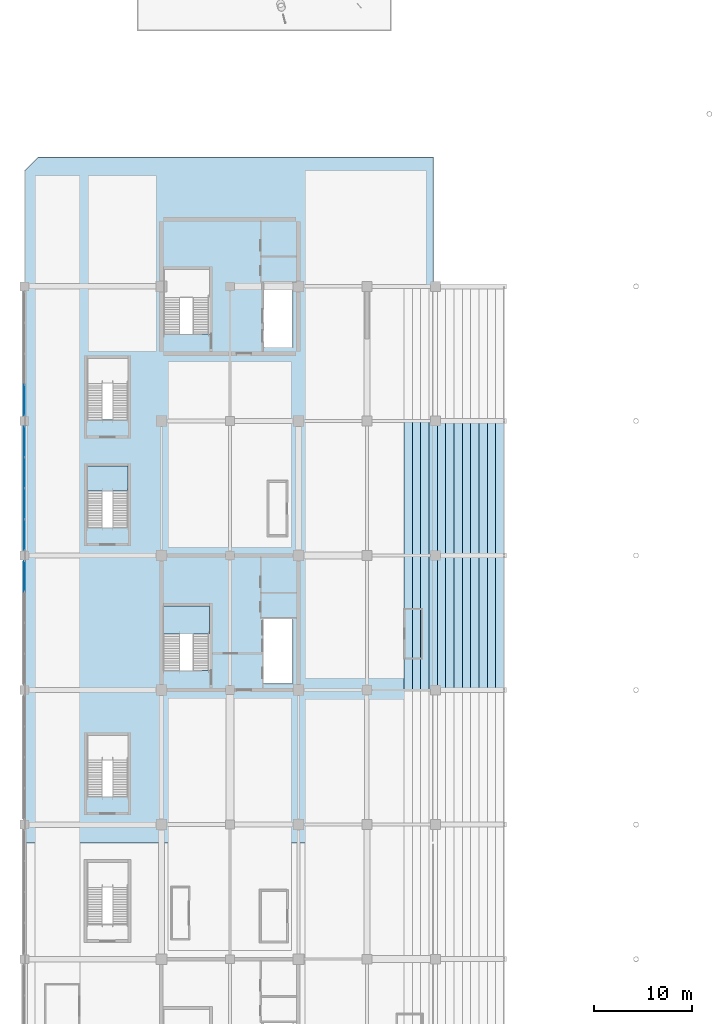
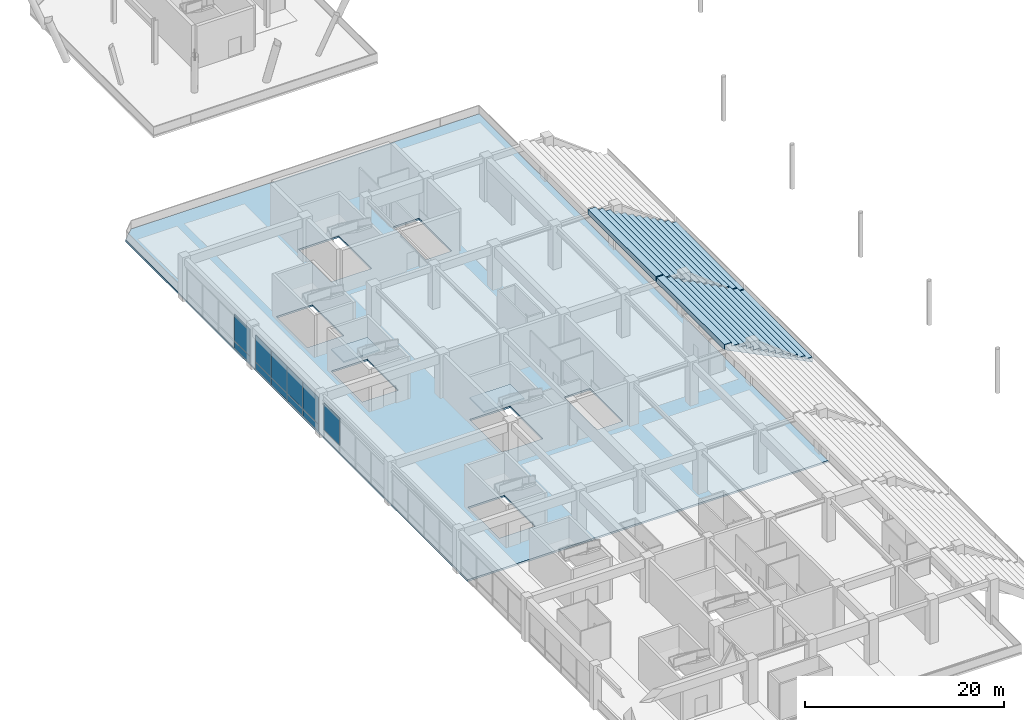
# One storey, part 73 of 117: 11 plates, 5 slabs, 5 elements without a shape of their own.
"""IFC4 building model written with IfcOpenShell, lengths in metres."""

from ifc_helpers import new_model, si_unit, direction, frame, origin, origin_2d, place, context, subcontext, project, spatial, polyline, rectangle, outline, extrude, material, layer, layer_set, type_object, element, aggregate, save


model = new_model("IFC4")

# Units and contexts
model_context = context("Model", 3, precision=1e-05, world=origin(), true_north=direction((0.0, 1.0)))
body_context = subcontext(model_context, "Body", "Model", "MODEL_VIEW")
ifc_project = project(units=[si_unit("LENGTHUNIT", "METRE"), si_unit("AREAUNIT", "SQUARE_METRE"), si_unit("VOLUMEUNIT", "CUBIC_METRE"), si_unit("PLANEANGLEUNIT", "RADIAN"), si_unit("MASSUNIT", "GRAM", prefix="KILO")], contexts=[model_context])

# Site, building, storey
site_placement = place(None, origin())
site = spatial("IfcSite", under=ifc_project, at=site_placement, CompositionType="ELEMENT")
building_placement = place(site_placement, origin())
building = spatial("IfcBuilding", under=site, at=building_placement, Name="Linyun Crest Stadium", CompositionType="ELEMENT")
storey_placement = place(building_placement, frame((0.0, 0.0, 6.0)))
storey = spatial("IfcBuildingStorey", under=building, at=storey_placement, Name="L02", CompositionType="ELEMENT", Elevation=6.0)

# Slab
ifc_material_1 = material(Name="Concrete C40", Category="concrete")
ifc_layer_1 = layer(ifc_material_1, 0.219970703125)
ifc_layer_set_1 = layer_set([ifc_layer_1], Name="Concrete C40")
slab_type_1 = type_object("IfcSlabType", Name="FS03", PredefinedType="FLOOR", material=ifc_layer_set_1)
slab_1_placement = place(storey_placement, frame((0.0, 0.0, -0.219970703125)))
element("IfcSlab", 1, at=slab_1_placement, inside=storey, type_object=slab_type_1, Name="Slab FS03 V1 L02 5", PredefinedType="FLOOR", context=body_context, shape_type="SweptSolid", body=[
    extrude(outline(polyline([(-98.0, -13.489990234375), (-56.199951171875, -13.489990234375), (-56.199951171875, 56.5849609375), (-96.60009765625, 56.5849609375), (-98.0, 55.18505859375), (-98.0, -13.489990234375)]), holes=[polyline([(-83.800048828125, 4.14501953125), (-83.800048828125, 10.72509765625), (-79.10009765625, 10.72509765625), (-79.10009765625, 4.14501953125), (-83.800048828125, 4.14501953125)]), polyline([(-73.60009765625, 2.77490234375), (-73.60009765625, 9.375), (-70.60009765625, 9.375), (-70.60009765625, 2.77490234375), (-73.60009765625, 2.77490234375)]), polyline([(-83.77490234375, 38.52001953125), (-83.77490234375, 45.10009765625), (-79.10009765625, 45.10009765625), (-79.10009765625, 38.52001953125), (-83.77490234375, 38.52001953125)]), polyline([(-73.60009765625, 37.14990234375), (-73.60009765625, 43.75), (-70.60009765625, 43.75), (-70.60009765625, 37.14990234375), (-73.60009765625, 37.14990234375)]), polyline([(-91.60009765625, -8.75), (-91.60009765625, -2.5), (-87.39990234375, -2.5), (-87.39990234375, -8.75), (-91.60009765625, -8.75)]), polyline([(-91.60009765625, 18.75), (-91.60009765625, 25.0), (-87.39990234375, 25.0), (-87.39990234375, 18.75), (-91.60009765625, 18.75)]), polyline([(-91.60009765625, 29.75), (-91.60009765625, 36.0), (-87.39990234375, 36.0), (-87.39990234375, 29.75), (-91.60009765625, 29.75)])]), origin(), (0.0, 0.0, 1.0), 0.219970703125),
])

# Curtain wall, plate
ifc_material_2 = material(Name="Verdigris steel and low-E curtain wall assembly", Category="steel")
curtain_wall_type = type_object("IfcCurtainWallType", Name="MCW01", PredefinedType="NOTDEFINED", material=ifc_material_2)
curtain_wall_1_placement = place(storey_placement, origin())
curtain_wall_1 = element("IfcCurtainWall", 2, at=curtain_wall_1_placement, inside=storey, type_object=curtain_wall_type, Name="CWR-100", PredefinedType="NOTDEFINED")
ifc_material_3 = material(Name="Double silver low-E insulated glass", Category="glass")
ifc_layer_2 = layer(ifc_material_3, 0.02587890625)
ifc_layer_set_2 = layer_set([ifc_layer_2], Name="Double silver low-E insulated glass")
plate_type_1 = type_object("IfcPlateType", Name="GP01", PredefinedType="CURTAIN_PANEL", material=ifc_layer_set_2)
plate_1_placement = place(storey_placement, frame((-98.0, 13.743896484375, 0.9248046875), z_axis=(0.0, 0.0, 1.0), x_axis=(0.0, 1.0, 0.0)))
plate_1 = element("IfcPlate", 3, at=plate_1_placement, type_object=plate_type_1, Name="CWR-100 panel 4.2", PredefinedType="CURTAIN_PANEL", context=body_context, shape_type="SweptSolid", body=[
    extrude(rectangle(XDim=3.112548828125, YDim=0.02587890625, at=origin_2d()), origin(), (0.0, 0.0, 1.0), 3.300048828125),
])
aggregate(curtain_wall_1, [plate_1])

# Curtain wall, plates
curtain_wall_2_placement = place(storey_placement, origin())
curtain_wall_2 = element("IfcCurtainWall", 4, at=curtain_wall_2_placement, inside=storey, type_object=curtain_wall_type, Name="CWR-109", PredefinedType="NOTDEFINED")
plate_2_placement = place(storey_placement, frame((-98.0, 18.006103515625, 0.9248046875), z_axis=(0.0, 0.0, 1.0), x_axis=(0.0, 1.0, 0.0)))
plate_2 = element("IfcPlate", 5, at=plate_2_placement, type_object=plate_type_1, Name="CWR-109 panel 1.2", PredefinedType="CURTAIN_PANEL", context=body_context, shape_type="SweptSolid", body=[
    extrude(rectangle(XDim=3.112548828125, YDim=0.02587890625, at=origin_2d()), origin(), (0.0, 0.0, 1.0), 3.300048828125),
])
plate_3_placement = place(storey_placement, frame((-98.0, 21.1689453125, 0.9248046875), z_axis=(0.0, 0.0, 1.0), x_axis=(0.0, 1.0, 0.0)))
plate_3 = element("IfcPlate", 6, at=plate_3_placement, type_object=plate_type_1, Name="CWR-109 panel 2.2", PredefinedType="CURTAIN_PANEL", context=body_context, shape_type="SweptSolid", body=[
    extrude(rectangle(XDim=3.112548828125, YDim=0.02587890625, at=origin_2d()), origin(), (0.0, 0.0, 1.0), 3.300048828125),
])
plate_4_placement = place(storey_placement, frame((-98.0, 24.3310546875, 0.9248046875), z_axis=(0.0, 0.0, 1.0), x_axis=(0.0, 1.0, 0.0)))
plate_4 = element("IfcPlate", 7, at=plate_4_placement, type_object=plate_type_1, Name="CWR-109 panel 3.2", PredefinedType="CURTAIN_PANEL", context=body_context, shape_type="SweptSolid", body=[
    extrude(rectangle(XDim=3.112548828125, YDim=0.02587890625, at=origin_2d()), origin(), (0.0, 0.0, 1.0), 3.300048828125),
])
plate_5_placement = place(storey_placement, frame((-98.0, 27.493896484375, 0.9248046875), z_axis=(0.0, 0.0, 1.0), x_axis=(0.0, 1.0, 0.0)))
plate_5 = element("IfcPlate", 8, at=plate_5_placement, type_object=plate_type_1, Name="CWR-109 panel 4.2", PredefinedType="CURTAIN_PANEL", context=body_context, shape_type="SweptSolid", body=[
    extrude(rectangle(XDim=3.112548828125, YDim=0.02587890625, at=origin_2d()), origin(), (0.0, 0.0, 1.0), 3.300048828125),
])

# Curtain wall, plate
curtain_wall_3_placement = place(storey_placement, origin())
curtain_wall_3 = element("IfcCurtainWall", 9, at=curtain_wall_3_placement, inside=storey, type_object=curtain_wall_type, Name="CWR-118", PredefinedType="NOTDEFINED")
plate_6_placement = place(storey_placement, frame((-98.0, 31.756103515625, 0.9248046875), z_axis=(0.0, 0.0, 1.0), x_axis=(0.0, 1.0, 0.0)))
plate_6 = element("IfcPlate", 10, at=plate_6_placement, type_object=plate_type_1, Name="CWR-118 panel 1.2", PredefinedType="CURTAIN_PANEL", context=body_context, shape_type="SweptSolid", body=[
    extrude(rectangle(XDim=3.112548828125, YDim=0.02587890625, at=origin_2d()), origin(), (0.0, 0.0, 1.0), 3.300048828125),
])

# Stair, slab
ifc_material_4 = material(Name="Concrete C40", Category="concrete")
stair_type = type_object("IfcStairType", Name="STA02", PredefinedType="HALF_TURN_STAIR", material=ifc_material_4)
stair_1_placement = place(storey_placement, origin())
stair_1 = element("IfcStair", 11, at=stair_1_placement, inside=storey, type_object=stair_type, Name="Evacuation stair STR-02-L02", PredefinedType="HALF_TURN_STAIR")
ifc_material_5 = material(Name="Concrete C40", Category="concrete")
ifc_layer_3 = layer(ifc_material_5, 0.179931640625)
ifc_layer_set_3 = layer_set([ifc_layer_3], Name="Concrete C40")
slab_type_2 = type_object("IfcSlabType", Name="LS01", PredefinedType="LANDING", material=ifc_layer_set_3)
slab_2_placement = place(storey_placement, frame((0.0, 0.0, 2.52001953125)))
slab_2 = element("IfcSlab", 12, at=slab_2_placement, type_object=slab_type_2, Name="STR-02-L02 half-landing", PredefinedType="LANDING", context=body_context, shape_type="SweptSolid", body=[
    extrude(outline(polyline([(-83.800048828125, 7.864990234375), (-79.10009765625, 7.864990234375), (-79.10009765625, 10.72509765625), (-83.800048828125, 10.72509765625), (-83.800048828125, 7.864990234375)])), origin(), (0.0, 0.0, 1.0), 0.179931640625),
])
aggregate(stair_1, [slab_2])

stair_2_placement = place(storey_placement, origin())
stair_2 = element("IfcStair", 13, at=stair_2_placement, inside=storey, type_object=stair_type, Name="Vomitory evacuation stair STR-16-L02", PredefinedType="HALF_TURN_STAIR")
slab_3_placement = place(storey_placement, frame((0.0, 0.0, 2.52001953125)))
slab_3 = element("IfcSlab", 14, at=slab_3_placement, type_object=slab_type_2, Name="STR-16-L02 half-landing", PredefinedType="LANDING", context=body_context, shape_type="SweptSolid", body=[
    extrude(outline(polyline([(-91.60009765625, 22.469970703125), (-87.39990234375, 22.469970703125), (-87.39990234375, 25.0), (-91.60009765625, 25.0), (-91.60009765625, 22.469970703125)])), origin(), (0.0, 0.0, 1.0), 0.179931640625),
])
aggregate(stair_2, [slab_3])

# Plate
ifc_material_6 = material(Name="Celadon glazed ceramic faience insulated spandrel")
ifc_layer_4 = layer(ifc_material_6, 0.0419921875)
ifc_layer_set_4 = layer_set([ifc_layer_4], Name="Celadon glazed ceramic faience insulated spandrel")
plate_type_2 = type_object("IfcPlateType", Name="SP01", PredefinedType="SHEET", material=ifc_layer_set_4)
plate_7_placement = place(storey_placement, frame((-98.0, 18.006103515625, 0.02490234375), z_axis=(0.0, 0.0, 1.0), x_axis=(0.0, 1.0, 0.0)))
plate_7 = element("IfcPlate", 15, at=plate_7_placement, type_object=plate_type_2, Name="CWR-109 panel 1.1", PredefinedType="SHEET", context=body_context, shape_type="SweptSolid", body=[
    extrude(rectangle(XDim=3.112548828125, YDim=0.0419921875, at=origin_2d()), origin(), (0.0, 0.0, 1.0), 0.85009765625),
])

plate_8_placement = place(storey_placement, frame((-98.0, 21.1689453125, 0.02490234375), z_axis=(0.0, 0.0, 1.0), x_axis=(0.0, 1.0, 0.0)))
plate_8 = element("IfcPlate", 16, at=plate_8_placement, type_object=plate_type_2, Name="CWR-109 panel 2.1", PredefinedType="SHEET", context=body_context, shape_type="SweptSolid", body=[
    extrude(rectangle(XDim=3.112548828125, YDim=0.0419921875, at=origin_2d()), origin(), (0.0, 0.0, 1.0), 0.85009765625),
])

plate_9_placement = place(storey_placement, frame((-98.0, 24.3310546875, 0.02490234375), z_axis=(0.0, 0.0, 1.0), x_axis=(0.0, 1.0, 0.0)))
plate_9 = element("IfcPlate", 17, at=plate_9_placement, type_object=plate_type_2, Name="CWR-109 panel 3.1", PredefinedType="SHEET", context=body_context, shape_type="SweptSolid", body=[
    extrude(rectangle(XDim=3.112548828125, YDim=0.0419921875, at=origin_2d()), origin(), (0.0, 0.0, 1.0), 0.85009765625),
])

plate_10_placement = place(storey_placement, frame((-98.0, 27.493896484375, 0.02490234375), z_axis=(0.0, 0.0, 1.0), x_axis=(0.0, 1.0, 0.0)))
plate_10 = element("IfcPlate", 18, at=plate_10_placement, type_object=plate_type_2, Name="CWR-109 panel 4.1", PredefinedType="SHEET", context=body_context, shape_type="SweptSolid", body=[
    extrude(rectangle(XDim=3.112548828125, YDim=0.0419921875, at=origin_2d()), origin(), (0.0, 0.0, 1.0), 0.85009765625),
])

aggregate(curtain_wall_2, [plate_7, plate_2, plate_8, plate_3, plate_9, plate_4, plate_10, plate_5])

plate_11_placement = place(storey_placement, frame((-98.0, 31.756103515625, 0.02490234375), z_axis=(0.0, 0.0, 1.0), x_axis=(0.0, 1.0, 0.0)))
plate_11 = element("IfcPlate", 19, at=plate_11_placement, type_object=plate_type_2, Name="CWR-118 panel 1.1", PredefinedType="SHEET", context=body_context, shape_type="SweptSolid", body=[
    extrude(rectangle(XDim=3.112548828125, YDim=0.0419921875, at=origin_2d()), origin(), (0.0, 0.0, 1.0), 0.85009765625),
])

aggregate(curtain_wall_3, [plate_11, plate_6])

# Slabs
ifc_material_7 = material(Name="Precast concrete C50", Category="concrete")
ifc_layer_5 = layer(ifc_material_7, 0.179931640625)
ifc_layer_set_5 = layer_set([ifc_layer_5], Name="Precast concrete C50")
slab_type_3 = type_object("IfcSlabType", Name="ST02", PredefinedType="USERDEFINED", material=ifc_layer_set_5)
for number, where, z_axis, x_axis, name in (
    (20, (-49.0, 2.205078125, 0.199951171875), (0.0, 0.0, 1.0), (-1.0, 0.0, 0.0), "Precast seating tier ST02 V1 34"),
    (21, (-49.0, 15.955078125, 0.199951171875), (0.0, 0.0, 1.0), (-1.0, 0.0, 0.0), "Precast seating tier ST02 V1 42"),
):
    element("IfcSlab", number, at=place(storey_placement, frame(where, z_axis=z_axis, x_axis=x_axis)), inside=storey, type_object=slab_type_3, Name=name, ObjectType="SEATING TIER", PredefinedType="USERDEFINED", context=body_context, shape_type="SweptSolid", body=[
        extrude(outline(polyline([(0.0, 0.0), (0.0, 0.4599609375), (0.85009765625, 0.4599609375), (0.85009765625, 0.919921875), (1.699951171875, 0.919921875), (1.699951171875, 1.3798828125), (2.550048828125, 1.3798828125), (2.550048828125, 1.840087890625), (3.39990234375, 1.840087890625), (3.39990234375, 2.300048828125), (4.25, 2.300048828125), (4.25, 2.760009765625), (5.10009765625, 2.760009765625), (5.10009765625, 3.219970703125), (5.949951171875, 3.219970703125), (5.949951171875, 3.679931640625), (6.800048828125, 3.679931640625), (6.800048828125, 4.139892578125), (7.64990234375, 4.139892578125), (7.64990234375, 4.60009765625), (8.5, 4.60009765625), (8.5, 5.06005859375), (9.35009765625, 5.06005859375), (9.35009765625, 5.52001953125), (10.199951171875, 5.52001953125), (10.199951171875, 4.8798828125), (0.0, -0.179931640625), (0.0, 0.0)])), frame((0.0, 0.0, 0.0), z_axis=(0.0, -1.0, 0.0), x_axis=(1.0, 0.0, 0.0)), (0.0, 0.0, 1.0), 13.58984375),
    ])

save(model, "model.ifc")
